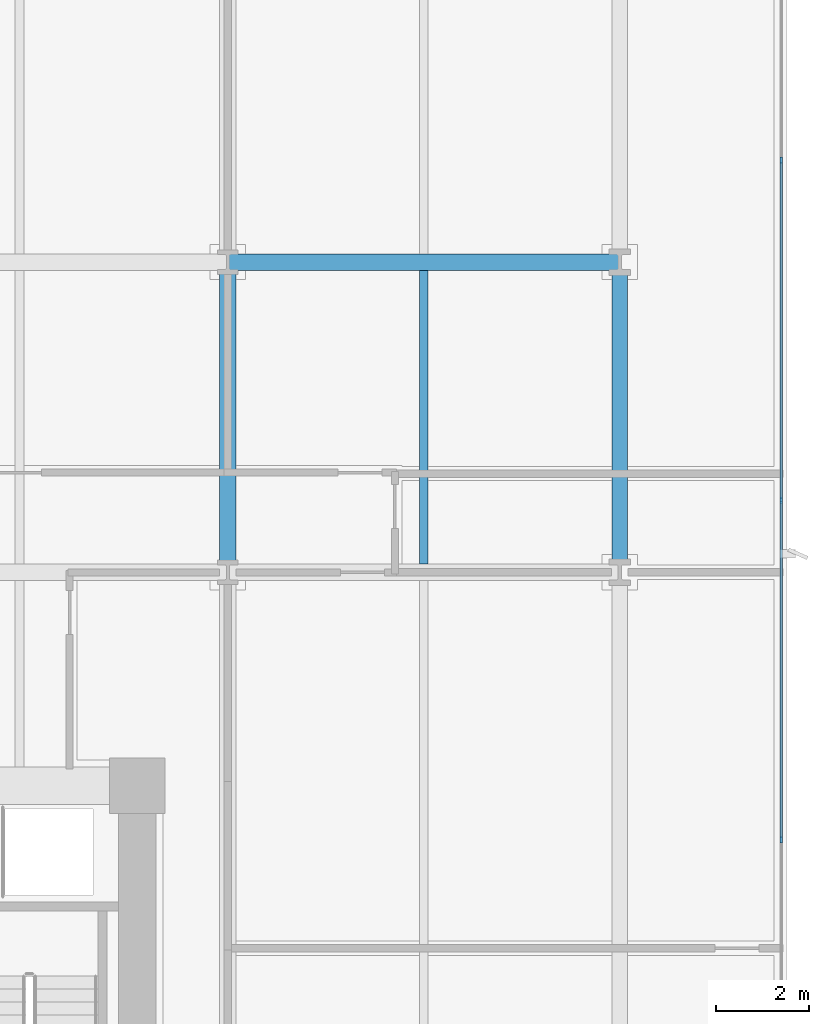
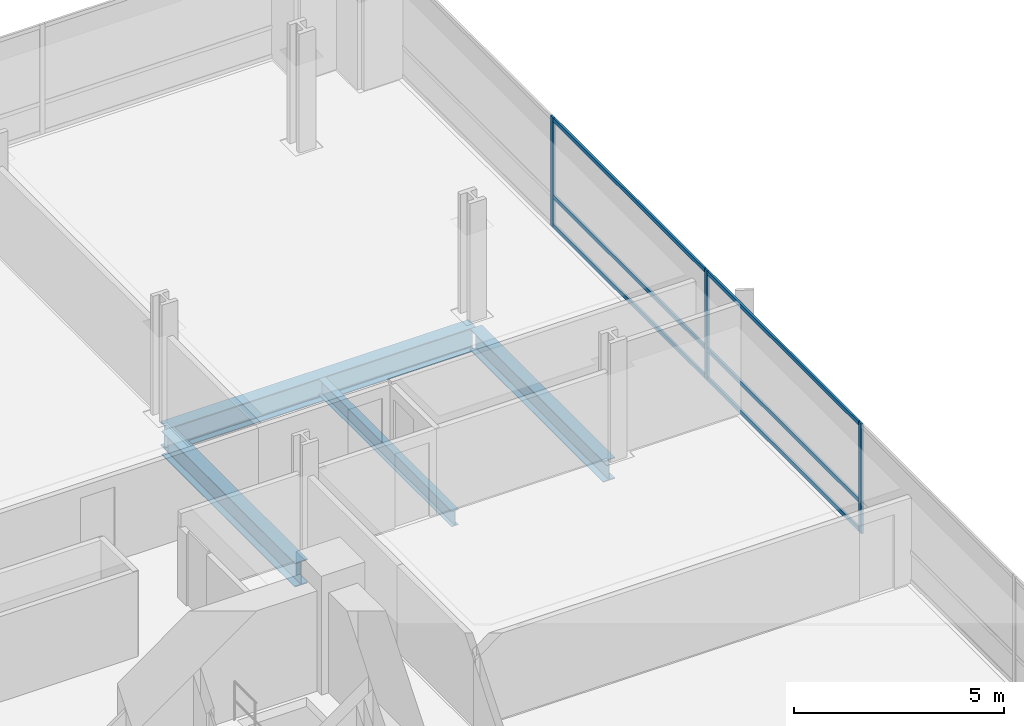
# One storey, part 8 of 20: 9 members, 4 beams, 1 element without a shape of its own.
"""IFC4 building model written with IfcOpenShell, lengths in metres."""

from ifc_helpers import new_model, si_unit, direction, frame, origin, origin_2d, place, context, subcontext, project, spatial, rectangle, i_section, extrude, material, material_profile, profile_set, type_object, element, aggregate, save


model = new_model("IFC4")

# Units and contexts
model_context = context("Model", 3, precision=1e-05, world=origin(), true_north=direction((0.0, 1.0)))
body_context = subcontext(model_context, "Body", "Model", "MODEL_VIEW")
ifc_project = project(units=[si_unit("LENGTHUNIT", "METRE"), si_unit("AREAUNIT", "SQUARE_METRE"), si_unit("VOLUMEUNIT", "CUBIC_METRE"), si_unit("PLANEANGLEUNIT", "RADIAN"), si_unit("MASSUNIT", "GRAM", prefix="KILO")], contexts=[model_context])

# Site, building, storey
site_placement = place(None, origin())
site = spatial("IfcSite", under=ifc_project, at=site_placement, CompositionType="ELEMENT")
building_placement = place(site_placement, origin())
building = spatial("IfcBuilding", under=site, at=building_placement, Name="Solmavex Isthmus Hotel", CompositionType="ELEMENT")
storey_placement = place(building_placement, frame((0.0, 0.0, 57.449951171875)))
storey = spatial("IfcBuildingStorey", under=building, at=storey_placement, Name="L15", CompositionType="ELEMENT", Elevation=57.449951171875)

# Beams
ifc_material_1 = material(Name="Steel ASTM A992 Grade 50", Category="steel")
ifc_material_profile_1 = material_profile(ifc_material_1, i_section(OverallWidth=0.354736328125, OverallDepth=0.695556640625, WebThickness=0.015380859375, FlangeThickness=0.02490234375, FilletRadius=0.017822265625, at=origin_2d()), Name="W27X146")
ifc_profile_set_1 = profile_set([ifc_material_profile_1], Name="Steel ASTM A992 Grade 50")
beam_type_1 = type_object("IfcBeamType", Name="BM-BG-W27X146", PredefinedType="BEAM", material=ifc_profile_set_1)
beam_1_placement = place(storey_placement, frame((17.951904296875, 8.7880859375, -0.607666015625), z_axis=(1.0, 0.0, 0.0), x_axis=(0.0, 1.0, 0.0)))
element("IfcBeam", 1, at=beam_1_placement, inside=storey, type_object=beam_type_1, Name="Floor Girder L15-UG18", PredefinedType="BEAM", context=body_context, shape_type="SweptSolid", body=[
    extrude(i_section(OverallWidth=0.354736328125, OverallDepth=0.695556640625, WebThickness=0.015380859375, FlangeThickness=0.02490234375, FilletRadius=0.017822265625, at=origin_2d()), origin(), (0.0, 0.0, 1.0), 8.447998046875),
])
beam_2_placement = place(storey_placement, frame((17.951904296875, 2.27734375, -0.607666015625), z_axis=(0.0, 1.0, 0.0), x_axis=(-1.0, 0.0, 0.0)))
element("IfcBeam", 2, at=beam_2_placement, inside=storey, type_object=beam_type_1, Name="Floor Beam L15-VG44", PredefinedType="BEAM", context=body_context, shape_type="SweptSolid", body=[
    extrude(i_section(OverallWidth=0.354736328125, OverallDepth=0.695556640625, WebThickness=0.015380859375, FlangeThickness=0.02490234375, FilletRadius=0.017822265625, at=origin_2d()), origin(), (0.0, 0.0, 1.0), 6.333251953125),
])
ifc_material_profile_2 = material_profile(ifc_material_1, i_section(OverallWidth=0.1904296875, OverallDepth=0.456787109375, WebThickness=0.009033203125, FlangeThickness=0.014404296875, FilletRadius=0.0126953125, at=origin_2d()), Name="W18X50")
ifc_profile_set_2 = profile_set([ifc_material_profile_2], Name="Steel ASTM A992 Grade 50")
beam_type_2 = type_object("IfcBeamType", Name="BM-BJ-W18X50", PredefinedType="JOIST", material=ifc_profile_set_2)
beam_3_placement = place(storey_placement, frame((22.176025390625, 2.27734375, -0.48828125), z_axis=(0.0, 1.0, 0.0), x_axis=(-1.0, 0.0, 0.0)))
element("IfcBeam", 3, at=beam_3_placement, inside=storey, type_object=beam_type_2, Name="Secondary Floor Joist L15-J21", PredefinedType="JOIST", context=body_context, shape_type="SweptSolid", body=[
    extrude(i_section(OverallWidth=0.1904296875, OverallDepth=0.456787109375, WebThickness=0.009033203125, FlangeThickness=0.014404296875, FilletRadius=0.0126953125, at=origin_2d()), origin(), (0.0, 0.0, 1.0), 6.333251953125),
])
ifc_material_profile_3 = material_profile(ifc_material_1, i_section(OverallWidth=0.326416015625, OverallDepth=0.621826171875, WebThickness=0.015380859375, FlangeThickness=0.0244140625, FilletRadius=0.01513671875, at=origin_2d()), Name="W24X131")
ifc_profile_set_3 = profile_set([ifc_material_profile_3], Name="Steel ASTM A992 Grade 50")
beam_type_3 = type_object("IfcBeamType", Name="BM-SP-W24X131", PredefinedType="SPANDREL", material=ifc_profile_set_3)
beam_4_placement = place(storey_placement, frame((26.39990234375, 2.27734375, -0.57080078125), z_axis=(0.0, 1.0, 0.0), x_axis=(-1.0, 0.0, 0.0)))
element("IfcBeam", 4, at=beam_4_placement, inside=storey, type_object=beam_type_3, Name="Floor Beam L15-VG47", PredefinedType="SPANDREL", context=body_context, shape_type="SweptSolid", body=[
    extrude(i_section(OverallWidth=0.326416015625, OverallDepth=0.621826171875, WebThickness=0.015380859375, FlangeThickness=0.0244140625, FilletRadius=0.01513671875, at=origin_2d()), origin(), (0.0, 0.0, 1.0), 6.333251953125),
])

# Curtain wall, members
ifc_material_2 = material(Name="Aluminium alloy 6063-T6", Category="aluminium")
curtain_wall_type = type_object("IfcCurtainWallType", Name="CW-SYS-06", PredefinedType="NOTDEFINED", material=ifc_material_2)
curtain_wall_placement = place(storey_placement, origin())
curtain_wall = element("IfcCurtainWall", 5, at=curtain_wall_placement, inside=storey, type_object=curtain_wall_type, Name="Stick Curtain Wall CWL-L15-E1", PredefinedType="NOTDEFINED")
ifc_material_profile_4 = material_profile(ifc_material_2, rectangle(XDim=0.06005859375, YDim=0.139892578125, at=origin_2d()), Name="CWM-60X140")
ifc_profile_set_4 = profile_set([ifc_material_profile_4], Name="Aluminium alloy 6063-T6")
member_type_1 = type_object("IfcMemberType", Name="CW-SYS-06-MUL", PredefinedType="MULLION", material=ifc_profile_set_4)
member_1_placement = place(storey_placement, frame((29.8798828125, -3.659912109375, 0.0), z_axis=(0.0, 0.0, 1.0), x_axis=(-1.0, 0.0, 0.0)))
member_1 = element("IfcMember", 6, at=member_1_placement, type_object=member_type_1, Name="CW-06 mullion 3", PredefinedType="MULLION", context=body_context, shape_type="SweptSolid", body=[
    extrude(rectangle(XDim=0.06005859375, YDim=0.139892578125, at=origin_2d()), origin(), (0.0, 0.0, 1.0), 3.18994140625),
])
member_2_placement = place(storey_placement, frame((29.8798828125, 3.659912109375, 0.0), z_axis=(0.0, 0.0, 1.0), x_axis=(-1.0, 0.0, 0.0)))
member_2 = element("IfcMember", 7, at=member_2_placement, type_object=member_type_1, Name="CW-06 mullion 4", PredefinedType="MULLION", context=body_context, shape_type="SweptSolid", body=[
    extrude(rectangle(XDim=0.06005859375, YDim=0.139892578125, at=origin_2d()), origin(), (0.0, 0.0, 1.0), 3.18994140625),
])
member_3_placement = place(storey_placement, frame((29.8798828125, 10.97998046875, 0.0), z_axis=(0.0, 0.0, 1.0), x_axis=(-1.0, 0.0, 0.0)))
member_3 = element("IfcMember", 8, at=member_3_placement, type_object=member_type_1, Name="CW-06 mullion 5", PredefinedType="MULLION", context=body_context, shape_type="SweptSolid", body=[
    extrude(rectangle(XDim=0.06005859375, YDim=0.139892578125, at=origin_2d()), origin(), (0.0, 0.0, 1.0), 3.18994140625),
])
ifc_material_profile_5 = material_profile(ifc_material_2, rectangle(XDim=0.06005859375, YDim=0.114990234375, at=origin_2d()), Name="CWT-60X115")
ifc_profile_set_5 = profile_set([ifc_material_profile_5], Name="Aluminium alloy 6063-T6")
member_type_2 = type_object("IfcMemberType", Name="CW-SYS-06-TRN", PredefinedType="USERDEFINED", material=ifc_profile_set_5)
member_4_placement = place(storey_placement, frame((29.8798828125, -3.6298828125, 0.0576171875), z_axis=(0.0, 1.0, 0.0), x_axis=(-1.0, 0.0, 0.0)))
member_4 = element("IfcMember", 9, at=member_4_placement, type_object=member_type_2, Name="CW-06 transom 3.1", ObjectType="TRANSOM", PredefinedType="USERDEFINED", context=body_context, shape_type="SweptSolid", body=[
    extrude(rectangle(XDim=0.06005859375, YDim=0.114990234375, at=origin_2d()), origin(), (0.0, 0.0, 1.0), 7.259765625),
])
member_5_placement = place(storey_placement, frame((29.8798828125, -3.6298828125, 0.900146484375), z_axis=(0.0, 1.0, 0.0), x_axis=(-1.0, 0.0, 0.0)))
member_5 = element("IfcMember", 10, at=member_5_placement, type_object=member_type_2, Name="CW-06 transom 3.2", ObjectType="TRANSOM", PredefinedType="USERDEFINED", context=body_context, shape_type="SweptSolid", body=[
    extrude(rectangle(XDim=0.06005859375, YDim=0.114990234375, at=origin_2d()), origin(), (0.0, 0.0, 1.0), 7.259765625),
])
member_6_placement = place(storey_placement, frame((29.8798828125, -3.6298828125, 3.132568359375), z_axis=(0.0, 1.0, 0.0), x_axis=(-1.0, 0.0, 0.0)))
member_6 = element("IfcMember", 11, at=member_6_placement, type_object=member_type_2, Name="CW-06 transom 3.3", ObjectType="TRANSOM", PredefinedType="USERDEFINED", context=body_context, shape_type="SweptSolid", body=[
    extrude(rectangle(XDim=0.06005859375, YDim=0.114990234375, at=origin_2d()), origin(), (0.0, 0.0, 1.0), 7.259765625),
])
member_7_placement = place(storey_placement, frame((29.8798828125, 3.68994140625, 0.0576171875), z_axis=(0.0, 1.0, 0.0), x_axis=(-1.0, 0.0, 0.0)))
member_7 = element("IfcMember", 12, at=member_7_placement, type_object=member_type_2, Name="CW-06 transom 4.1", ObjectType="TRANSOM", PredefinedType="USERDEFINED", context=body_context, shape_type="SweptSolid", body=[
    extrude(rectangle(XDim=0.06005859375, YDim=0.114990234375, at=origin_2d()), origin(), (0.0, 0.0, 1.0), 7.260009765625),
])
member_8_placement = place(storey_placement, frame((29.8798828125, 3.68994140625, 0.900146484375), z_axis=(0.0, 1.0, 0.0), x_axis=(-1.0, 0.0, 0.0)))
member_8 = element("IfcMember", 13, at=member_8_placement, type_object=member_type_2, Name="CW-06 transom 4.2", ObjectType="TRANSOM", PredefinedType="USERDEFINED", context=body_context, shape_type="SweptSolid", body=[
    extrude(rectangle(XDim=0.06005859375, YDim=0.114990234375, at=origin_2d()), origin(), (0.0, 0.0, 1.0), 7.260009765625),
])
member_9_placement = place(storey_placement, frame((29.8798828125, 3.68994140625, 3.132568359375), z_axis=(0.0, 1.0, 0.0), x_axis=(-1.0, 0.0, 0.0)))
member_9 = element("IfcMember", 14, at=member_9_placement, type_object=member_type_2, Name="CW-06 transom 4.3", ObjectType="TRANSOM", PredefinedType="USERDEFINED", context=body_context, shape_type="SweptSolid", body=[
    extrude(rectangle(XDim=0.06005859375, YDim=0.114990234375, at=origin_2d()), origin(), (0.0, 0.0, 1.0), 7.260009765625),
])
aggregate(curtain_wall, [member_1, member_2, member_3, member_4, member_5, member_6, member_7, member_8, member_9])

save(model, "model.ifc")
